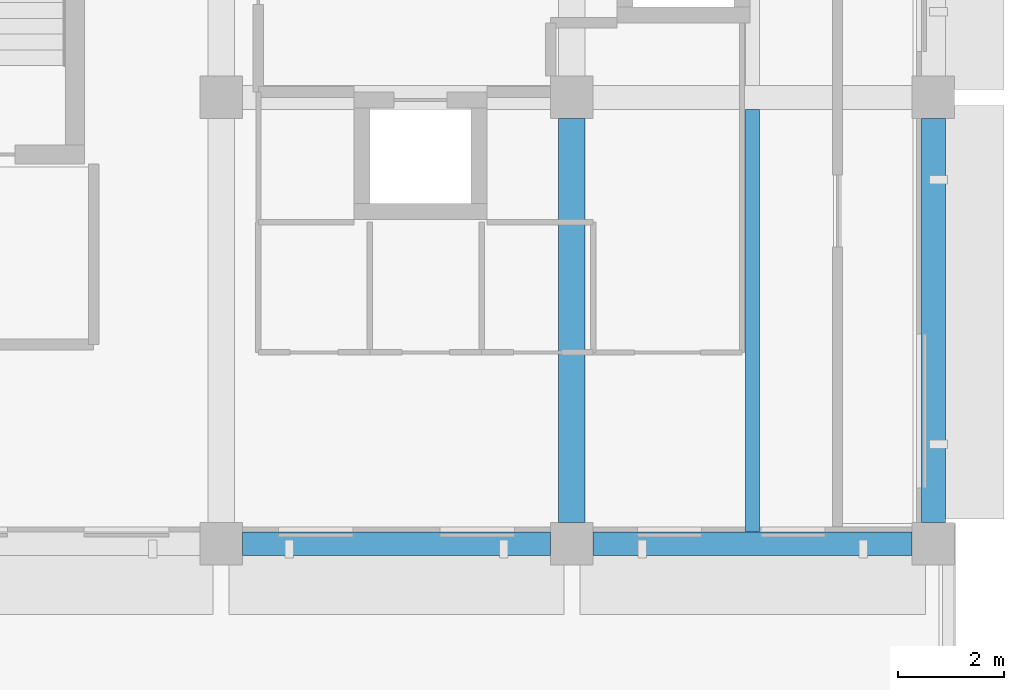
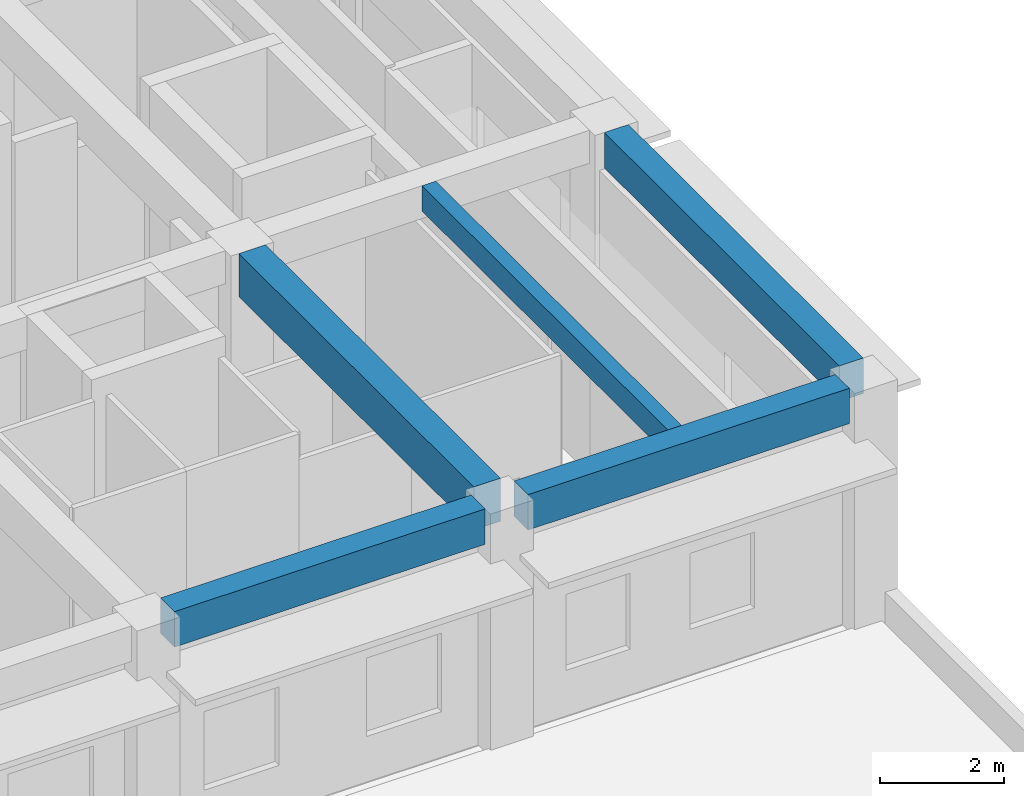
# One storey, part 27 of 75: 5 beams.
"""IFC4 building model written with IfcOpenShell, lengths in metres."""

from ifc_helpers import new_model, si_unit, direction, frame, origin, origin_2d, place, context, subcontext, project, spatial, rectangle, extrude, material, material_profile, profile_set, type_object, element, save


model = new_model("IFC4")

# Units and contexts
model_context = context("Model", 3, precision=1e-05, world=origin(), true_north=direction((0.0, 1.0)))
body_context = subcontext(model_context, "Body", "Model", "MODEL_VIEW")
ifc_project = project(units=[si_unit("LENGTHUNIT", "METRE"), si_unit("AREAUNIT", "SQUARE_METRE"), si_unit("VOLUMEUNIT", "CUBIC_METRE"), si_unit("PLANEANGLEUNIT", "RADIAN"), si_unit("MASSUNIT", "GRAM", prefix="KILO")], contexts=[model_context])

# Site, building, storey
site_placement = place(None, origin())
site = spatial("IfcSite", under=ifc_project, at=site_placement, CompositionType="ELEMENT")
building_placement = place(site_placement, origin())
building = spatial("IfcBuilding", under=site, at=building_placement, Name="Kolvaren Faculty of Natural Sciences", CompositionType="ELEMENT")
storey_placement = place(building_placement, frame((0.0, 0.0, 5.39990234375)))
storey = spatial("IfcBuildingStorey", under=building, at=storey_placement, Name="L01", CompositionType="ELEMENT", Elevation=5.39990234375)

# Beams
ifc_material = material(Name="Concrete C35/45", Category="concrete")
ifc_material_profile_1 = material_profile(ifc_material, rectangle(XDim=0.260009765625, YDim=0.5, at=origin_2d()), Name="RC JST 260x500")
ifc_profile_set_1 = profile_set([ifc_material_profile_1], Name="Concrete C35/45")
beam_type_1 = type_object("IfcBeamType", Name="LabRibJoist_260x500", PredefinedType="JOIST", material=ifc_profile_set_1)
beam_1_placement = place(storey_placement, frame((168.60009765625, 59.22509765625, 4.550048828125), z_axis=(0.0, 1.0, 0.0), x_axis=(-1.0, 0.0, 0.0)))
element("IfcBeam", 1, at=beam_1_placement, inside=storey, type_object=beam_type_1, Name="L01 ribbed laboratory slab joist JS-50", PredefinedType="JOIST", context=body_context, shape_type="SweptSolid", body=[
    extrude(rectangle(XDim=0.260009765625, YDim=0.5, at=origin_2d()), origin(), (0.0, 0.0, 1.0), 7.949951171875),
])
ifc_material_profile_2 = material_profile(ifc_material, rectangle(XDim=0.449951171875, YDim=0.699951171875, at=origin_2d()), Name="RC SP 450x700")
ifc_profile_set_2 = profile_set([ifc_material_profile_2], Name="Concrete C35/45")
beam_type_2 = type_object("IfcBeamType", Name="PerimeterSpandrel_450x700", PredefinedType="SPANDREL", material=ifc_profile_set_2)
beam_2_placement = place(storey_placement, frame((159.0, 59.0, 4.4501953125), z_axis=(1.0, 0.0, 0.0), x_axis=(0.0, 1.0, 0.0)))
element("IfcBeam", 2, at=beam_2_placement, inside=storey, type_object=beam_type_2, Name="L01 spandrel SP-70 on grid H", PredefinedType="SPANDREL", context=body_context, shape_type="SweptSolid", body=[
    extrude(rectangle(XDim=0.449951171875, YDim=0.699951171875, at=origin_2d()), origin(), (0.0, 0.0, 1.0), 5.800048828125),
])
beam_3_placement = place(storey_placement, frame((165.60009765625, 59.0, 4.4501953125), z_axis=(1.0, 0.0, 0.0), x_axis=(0.0, 1.0, 0.0)))
element("IfcBeam", 3, at=beam_3_placement, inside=storey, type_object=beam_type_2, Name="L01 spandrel SP-70 on grid H", PredefinedType="SPANDREL", context=body_context, shape_type="SweptSolid", body=[
    extrude(rectangle(XDim=0.449951171875, YDim=0.699951171875, at=origin_2d()), origin(), (0.0, 0.0, 1.0), 6.0),
])
beam_4_placement = place(storey_placement, frame((172.0, 59.39990234375, 4.4501953125), z_axis=(0.0, 1.0, 0.0), x_axis=(-1.0, 0.0, 0.0)))
element("IfcBeam", 4, at=beam_4_placement, inside=storey, type_object=beam_type_2, Name="L01 girder SP-70 on grid 27", PredefinedType="SPANDREL", context=body_context, shape_type="SweptSolid", body=[
    extrude(rectangle(XDim=0.449951171875, YDim=0.699951171875, at=origin_2d()), origin(), (0.0, 0.0, 1.0), 7.60009765625),
])
ifc_material_profile_3 = material_profile(ifc_material, rectangle(XDim=0.5, YDim=0.85009765625, at=origin_2d()), Name="RC BM 500x850")
ifc_profile_set_3 = profile_set([ifc_material_profile_3], Name="Concrete C35/45")
beam_type_3 = type_object("IfcBeamType", Name="PrimaryGirder_500x850", PredefinedType="BEAM", material=ifc_profile_set_3)
beam_5_placement = place(storey_placement, frame((165.199951171875, 59.39990234375, 4.375), z_axis=(0.0, 1.0, 0.0), x_axis=(-1.0, 0.0, 0.0)))
element("IfcBeam", 5, at=beam_5_placement, inside=storey, type_object=beam_type_3, Name="L01 girder BG-85 on grid 26", PredefinedType="BEAM", context=body_context, shape_type="SweptSolid", body=[
    extrude(rectangle(XDim=0.5, YDim=0.85009765625, at=origin_2d()), origin(), (0.0, 0.0, 1.0), 7.60009765625),
])

save(model, "model.ifc")
